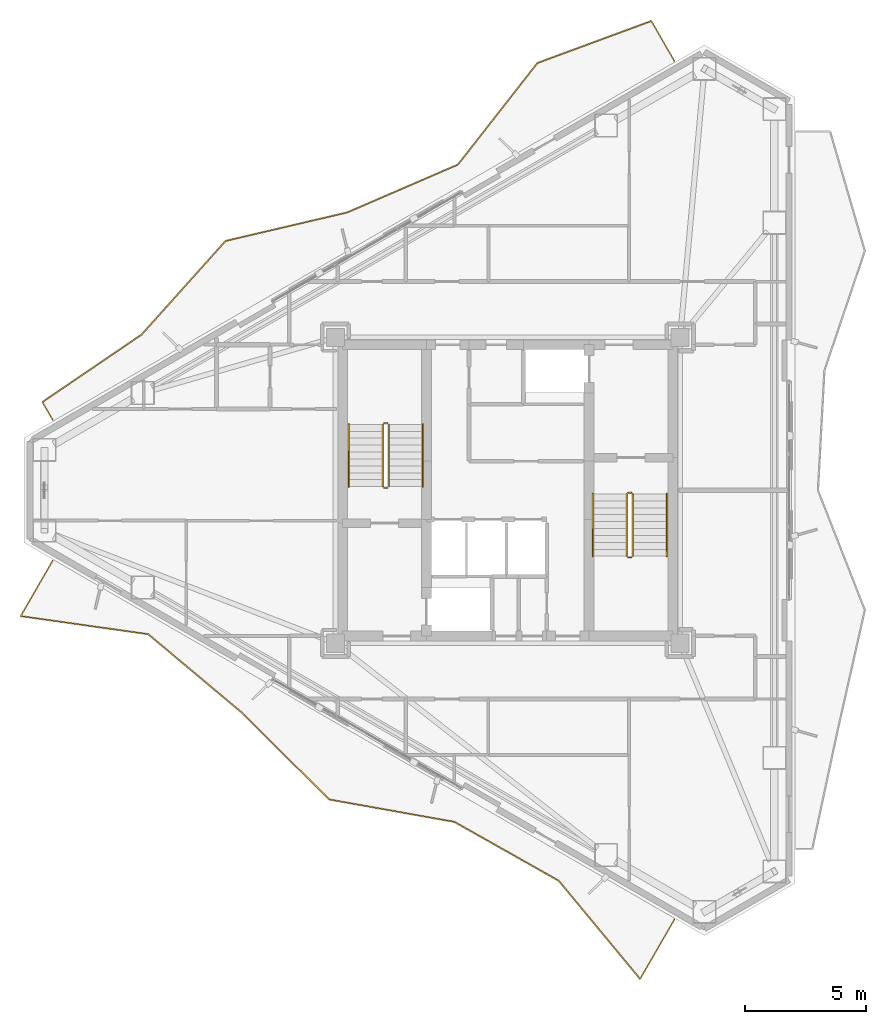
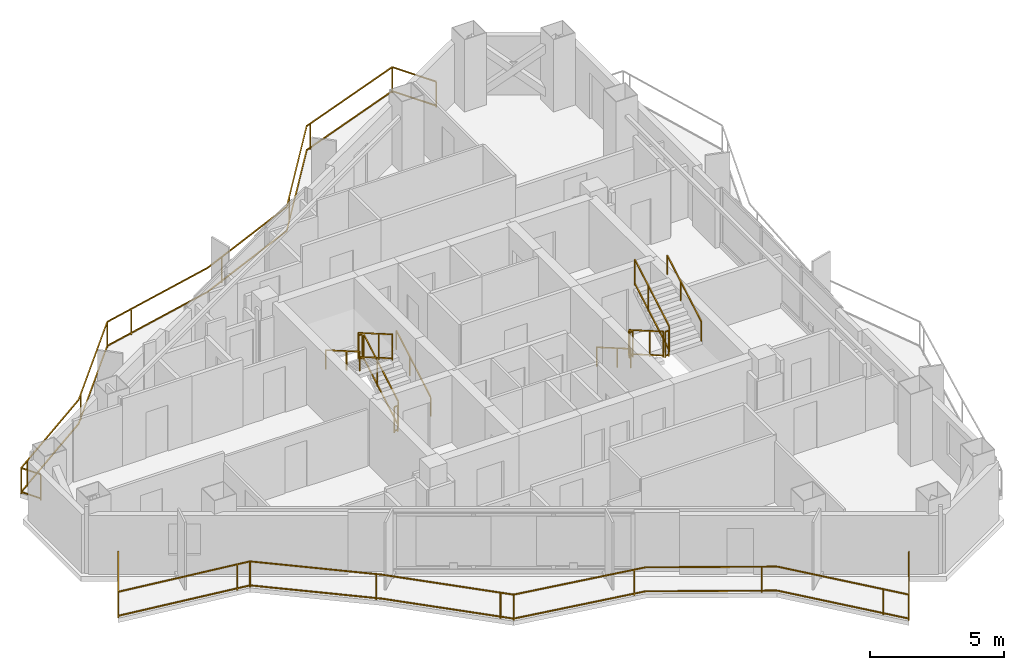
# One storey, part 21 of 22: 14 railings.
"""IFC4 building model written with IfcOpenShell, lengths in metres."""

from ifc_helpers import new_model, si_unit, direction, frame, origin, origin_2d, place, context, subcontext, project, spatial, rectangle, extrude, material, type_object, element, save


model = new_model("IFC4")

# Units and contexts
model_context = context("Model", 3, precision=1e-05, world=origin(), true_north=direction((0.0, 1.0)))
body_context = subcontext(model_context, "Body", "Model", "MODEL_VIEW")
ifc_project = project(units=[si_unit("LENGTHUNIT", "METRE"), si_unit("AREAUNIT", "SQUARE_METRE"), si_unit("VOLUMEUNIT", "CUBIC_METRE"), si_unit("PLANEANGLEUNIT", "RADIAN"), si_unit("MASSUNIT", "GRAM", prefix="KILO")], contexts=[model_context])

# Site, building, storey
site_placement = place(None, origin())
site = spatial("IfcSite", under=ifc_project, at=site_placement, CompositionType="ELEMENT")
building_placement = place(site_placement, origin())
building = spatial("IfcBuilding", under=site, at=building_placement, Name="Mersakhor Tower and Convention Hall", CompositionType="ELEMENT")
storey_placement = place(building_placement, frame((0.0, 0.0, 192.0)))
storey = spatial("IfcBuildingStorey", under=building, at=storey_placement, Name="L53", CompositionType="ELEMENT", Elevation=192.0)

# Railings
ifc_material_1 = material(Name="Powder-coated galvanised steel and laminated glass balustrade", Category="steel")
railing_type_1 = type_object("IfcRailingType", Name="RL-BAL-1200", PredefinedType="BALUSTRADE", material=ifc_material_1)
railing_1_placement = place(storey_placement, frame((35.86669921875, 44.44189453125, 0.0)))
element("IfcRailing", 1, at=railing_1_placement, inside=storey, type_object=railing_type_1, Name="L53 Sinusoidal Balcony Balustrade F1", PredefinedType="BALUSTRADE", context=body_context, shape_type="SweptSolid", body=[
    extrude(rectangle(XDim=0.048095703125, YDim=0.048095703125, at=origin_2d()), frame((0.0, 0.0, 1.17578125), z_axis=(-0.499975093369, 0.866039783157, 0.0), x_axis=(-0.866039783157, -0.499975093369, 0.0)), (0.0, 0.0, 1.0), 1.89599609375),
    extrude(rectangle(XDim=0.048095703125, YDim=0.048095703125, at=origin_2d()), frame((0.0, 0.0, 0.080078125), z_axis=(-0.499975093369, 0.866039783157, 0.0), x_axis=(-0.866039783157, -0.499975093369, 0.0)), (0.0, 0.0, 1.0), 1.89599609375),
    extrude(rectangle(XDim=0.048095703125, YDim=0.048095703125, at=origin_2d()), frame((-0.947998046875, 1.64208984375, 1.17578125), z_axis=(-0.938307289894, -0.345802587804, 0.0), x_axis=(0.345802587804, -0.938307289894, 0.0)), (0.0, 0.0, 1.0), 5.00341796875),
    extrude(rectangle(XDim=0.048095703125, YDim=0.048095703125, at=origin_2d()), frame((-0.947998046875, 1.64208984375, 0.080078125), z_axis=(-0.938307289894, -0.345802587804, 0.0), x_axis=(0.345802587804, -0.938307289894, 0.0)), (0.0, 0.0, 1.0), 5.00341796875),
    extrude(rectangle(XDim=0.048095703125, YDim=0.048095703125, at=origin_2d()), frame((-5.642822265625, -0.088134765625, 1.17578125), z_axis=(-0.616207963578, -0.787583484859, 0.0), x_axis=(0.787583484859, -0.616207963578, 0.0)), (0.0, 0.0, 1.0), 5.316650390625),
    extrude(rectangle(XDim=0.048095703125, YDim=0.048095703125, at=origin_2d()), frame((-5.642822265625, -0.088134765625, 0.080078125), z_axis=(-0.616207963578, -0.787583484859, 0.0), x_axis=(0.787583484859, -0.616207963578, 0.0)), (0.0, 0.0, 1.0), 5.316650390625),
    extrude(rectangle(XDim=0.048095703125, YDim=0.048095703125, at=origin_2d()), frame((-8.9189453125, -4.275390625, 1.17578125), z_axis=(-0.917927237931, -0.396748769202, 0.0), x_axis=(0.396748769202, -0.917927237931, 0.0)), (0.0, 0.0, 1.0), 4.964111328125),
    extrude(rectangle(XDim=0.048095703125, YDim=0.048095703125, at=origin_2d()), frame((-8.9189453125, -4.275390625, 0.080078125), z_axis=(-0.917927237931, -0.396748769202, 0.0), x_axis=(0.396748769202, -0.917927237931, 0.0)), (0.0, 0.0, 1.0), 4.964111328125),
    extrude(rectangle(XDim=0.048095703125, YDim=0.048095703125, at=origin_2d()), frame((-13.4755859375, -6.244873046875, 1.17578125), z_axis=(-0.973658412064, -0.228011615092, 0.0), x_axis=(0.228011615092, -0.973658412064, 0.0)), (0.0, 0.0, 1.0), 5.1513671875),
    extrude(rectangle(XDim=0.048095703125, YDim=0.048095703125, at=origin_2d()), frame((-13.4755859375, -6.244873046875, 0.080078125), z_axis=(-0.973658412064, -0.228011615092, 0.0), x_axis=(0.228011615092, -0.973658412064, 0.0)), (0.0, 0.0, 1.0), 5.1513671875),
    extrude(rectangle(XDim=0.048095703125, YDim=0.048095703125, at=origin_2d()), frame((-18.4912109375, -7.41943359375, 1.17578125), z_axis=(-0.667614281747, -0.744507334287, 0.0), x_axis=(0.744507334287, -0.667614281747, 0.0)), (0.0, 0.0, 1.0), 5.18798828125),
    extrude(rectangle(XDim=0.048095703125, YDim=0.048095703125, at=origin_2d()), frame((-18.4912109375, -7.41943359375, 0.080078125), z_axis=(-0.667614281747, -0.744507334287, 0.0), x_axis=(0.744507334287, -0.667614281747, 0.0)), (0.0, 0.0, 1.0), 5.18798828125),
    extrude(rectangle(XDim=0.048095703125, YDim=0.048095703125, at=origin_2d()), frame((-21.954833984375, -11.281982421875, 1.17578125), z_axis=(-0.82704863342, -0.562130374521, 0.0), x_axis=(0.562130374521, -0.82704863342, 0.0)), (0.0, 0.0, 1.0), 4.9443359375),
    extrude(rectangle(XDim=0.048095703125, YDim=0.048095703125, at=origin_2d()), frame((-21.954833984375, -11.281982421875, 0.080078125), z_axis=(-0.82704863342, -0.562130374521, 0.0), x_axis=(0.562130374521, -0.82704863342, 0.0)), (0.0, 0.0, 1.0), 4.9443359375),
    extrude(rectangle(XDim=0.048095703125, YDim=0.048095703125, at=origin_2d()), frame((-26.0439453125, -14.061279296875, 1.17578125), z_axis=(0.499964420222, -0.866045944804, 0.0), x_axis=(0.866045944804, 0.499964420222, 0.0)), (0.0, 0.0, 1.0), 0.84423828125),
    extrude(rectangle(XDim=0.048095703125, YDim=0.048095703125, at=origin_2d()), frame((-26.0439453125, -14.061279296875, 0.080078125), z_axis=(0.499964420222, -0.866045944804, 0.0), x_axis=(0.866045944804, 0.499964420222, 0.0)), (0.0, 0.0, 1.0), 0.84423828125),
    extrude(rectangle(XDim=0.0419921875, YDim=0.0419921875, at=origin_2d()), origin(), (0.0, 0.0, 1.0), 1.15185546875),
    extrude(rectangle(XDim=0.0419921875, YDim=0.0419921875, at=origin_2d()), frame((-0.947998046875, 1.64208984375, 0.0)), (0.0, 0.0, 1.0), 1.15185546875),
    extrude(rectangle(XDim=0.0419921875, YDim=0.0419921875, at=origin_2d()), frame((-5.451904296875, -0.017822265625, 0.0)), (0.0, 0.0, 1.0), 1.15185546875),
    extrude(rectangle(XDim=0.0419921875, YDim=0.0419921875, at=origin_2d()), frame((-8.475341796875, -3.708251953125, 0.0)), (0.0, 0.0, 1.0), 1.15185546875),
    extrude(rectangle(XDim=0.0419921875, YDim=0.0419921875, at=origin_2d()), frame((-12.6640625, -5.89404296875, 0.0)), (0.0, 0.0, 1.0), 1.15185546875),
    extrude(rectangle(XDim=0.0419921875, YDim=0.0419921875, at=origin_2d()), frame((-17.288330078125, -7.1376953125, 0.0)), (0.0, 0.0, 1.0), 1.15185546875),
    extrude(rectangle(XDim=0.0419921875, YDim=0.0419921875, at=origin_2d()), frame((-18.4912109375, -7.41943359375, 0.0)), (0.0, 0.0, 1.0), 1.15185546875),
    extrude(rectangle(XDim=0.0419921875, YDim=0.0419921875, at=origin_2d()), frame((-21.69580078125, -10.9931640625, 0.0)), (0.0, 0.0, 1.0), 1.15185546875),
    extrude(rectangle(XDim=0.0419921875, YDim=0.0419921875, at=origin_2d()), frame((-25.603759765625, -13.761962890625, 0.0)), (0.0, 0.0, 1.0), 1.15185546875),
    extrude(rectangle(XDim=0.0419921875, YDim=0.0419921875, at=origin_2d()), frame((-26.0439453125, -14.061279296875, 0.0)), (0.0, 0.0, 1.0), 1.15185546875),
    extrude(rectangle(XDim=0.0419921875, YDim=0.0419921875, at=origin_2d()), frame((-25.621826171875, -14.79248046875, 0.0)), (0.0, 0.0, 1.0), 1.15185546875),
])
railing_2_placement = place(storey_placement, frame((10.244873046875, 23.8505859375, 0.0)))
element("IfcRailing", 2, at=railing_2_placement, inside=storey, type_object=railing_type_1, Name="L53 Sinusoidal Balcony Balustrade F3", PredefinedType="BALUSTRADE", context=body_context, shape_type="SweptSolid", body=[
    extrude(rectangle(XDim=0.048095703125, YDim=0.048095703125, at=origin_2d()), frame((0.0, 0.0, 1.17578125), z_axis=(-0.499984368442, -0.86603442848, 0.0), x_axis=(0.86603442848, -0.499984368442, 0.0)), (0.0, 0.0, 1.0), 2.6357421875),
    extrude(rectangle(XDim=0.048095703125, YDim=0.048095703125, at=origin_2d()), frame((0.0, 0.0, 0.080078125), z_axis=(-0.499984368442, -0.86603442848, 0.0), x_axis=(0.86603442848, -0.499984368442, 0.0)), (0.0, 0.0, 1.0), 2.6357421875),
    extrude(rectangle(XDim=0.048095703125, YDim=0.048095703125, at=origin_2d()), frame((-1.31787109375, -2.28271484375, 1.17578125), z_axis=(0.990114157614, -0.140263875933, 0.0), x_axis=(0.140263875933, 0.990114157614, 0.0)), (0.0, 0.0, 1.0), 5.315673828125),
    extrude(rectangle(XDim=0.048095703125, YDim=0.048095703125, at=origin_2d()), frame((-1.31787109375, -2.28271484375, 0.080078125), z_axis=(0.990114157614, -0.140263875933, 0.0), x_axis=(0.140263875933, 0.990114157614, 0.0)), (0.0, 0.0, 1.0), 5.315673828125),
    extrude(rectangle(XDim=0.048095703125, YDim=0.048095703125, at=origin_2d()), frame((3.9453125, -3.0283203125, 1.17578125), z_axis=(0.766567843744, -0.642163328864, 0.0), x_axis=(0.642163328864, 0.766567843744, 0.0)), (0.0, 0.0, 1.0), 5.00634765625),
    extrude(rectangle(XDim=0.048095703125, YDim=0.048095703125, at=origin_2d()), frame((3.9453125, -3.0283203125, 0.080078125), z_axis=(0.766567843744, -0.642163328864, 0.0), x_axis=(0.642163328864, 0.766567843744, 0.0)), (0.0, 0.0, 1.0), 5.00634765625),
    extrude(rectangle(XDim=0.048095703125, YDim=0.048095703125, at=origin_2d()), frame((7.782958984375, -6.2431640625, 1.17578125), z_axis=(0.709329055901, -0.704877500318, 0.0), x_axis=(0.704877500318, 0.709329055901, 0.0)), (0.0, 0.0, 1.0), 5.1005859375),
    extrude(rectangle(XDim=0.048095703125, YDim=0.048095703125, at=origin_2d()), frame((7.782958984375, -6.2431640625, 0.080078125), z_axis=(0.709329055901, -0.704877500318, 0.0), x_axis=(0.704877500318, 0.709329055901, 0.0)), (0.0, 0.0, 1.0), 5.1005859375),
    extrude(rectangle(XDim=0.048095703125, YDim=0.048095703125, at=origin_2d()), frame((11.40087890625, -9.83837890625, 1.17578125), z_axis=(0.984376302005, -0.176077528521, 0.0), x_axis=(0.176077528521, 0.984376302005, 0.0)), (0.0, 0.0, 1.0), 5.242431640625),
    extrude(rectangle(XDim=0.048095703125, YDim=0.048095703125, at=origin_2d()), frame((11.40087890625, -9.83837890625, 0.080078125), z_axis=(0.984376302005, -0.176077528521, 0.0), x_axis=(0.176077528521, 0.984376302005, 0.0)), (0.0, 0.0, 1.0), 5.242431640625),
    extrude(rectangle(XDim=0.048095703125, YDim=0.048095703125, at=origin_2d()), frame((16.5615234375, -10.761474609375, 1.17578125), z_axis=(0.870983899924, -0.491311557031, 0.0), x_axis=(0.491311557031, 0.870983899924, 0.0)), (0.0, 0.0, 1.0), 4.931396484375),
    extrude(rectangle(XDim=0.048095703125, YDim=0.048095703125, at=origin_2d()), frame((16.5615234375, -10.761474609375, 0.080078125), z_axis=(0.870983899924, -0.491311557031, 0.0), x_axis=(0.491311557031, 0.870983899924, 0.0)), (0.0, 0.0, 1.0), 4.931396484375),
    extrude(rectangle(XDim=0.048095703125, YDim=0.048095703125, at=origin_2d()), frame((20.856689453125, -13.184326171875, 1.17578125), z_axis=(0.637912487539, -0.770108861293, 0.0), x_axis=(0.770108861293, 0.637912487539, 0.0)), (0.0, 0.0, 1.0), 5.259765625),
    extrude(rectangle(XDim=0.048095703125, YDim=0.048095703125, at=origin_2d()), frame((20.856689453125, -13.184326171875, 0.080078125), z_axis=(0.637912487539, -0.770108861293, 0.0), x_axis=(0.770108861293, 0.637912487539, 0.0)), (0.0, 0.0, 1.0), 5.259765625),
    extrude(rectangle(XDim=0.048095703125, YDim=0.048095703125, at=origin_2d()), frame((24.2119140625, -17.23486328125, 1.17578125), z_axis=(0.499947271324, 0.866055844559, 0.0), x_axis=(-0.866055844559, 0.499947271324, 0.0)), (0.0, 0.0, 1.0), 2.820068359375),
    extrude(rectangle(XDim=0.048095703125, YDim=0.048095703125, at=origin_2d()), frame((24.2119140625, -17.23486328125, 0.080078125), z_axis=(0.499947271324, 0.866055844559, 0.0), x_axis=(-0.866055844559, 0.499947271324, 0.0)), (0.0, 0.0, 1.0), 2.820068359375),
    extrude(rectangle(XDim=0.0419921875, YDim=0.0419921875, at=origin_2d()), origin(), (0.0, 0.0, 1.0), 1.15185546875),
    extrude(rectangle(XDim=0.0419921875, YDim=0.0419921875, at=origin_2d()), frame((-1.31787109375, -2.28271484375, 0.0)), (0.0, 0.0, 1.0), 1.15185546875),
    extrude(rectangle(XDim=0.0419921875, YDim=0.0419921875, at=origin_2d()), frame((3.4345703125, -2.9560546875, 0.0)), (0.0, 0.0, 1.0), 1.15185546875),
    extrude(rectangle(XDim=0.0419921875, YDim=0.0419921875, at=origin_2d()), frame((3.9453125, -3.0283203125, 0.0)), (0.0, 0.0, 1.0), 1.15185546875),
    extrude(rectangle(XDim=0.0419921875, YDim=0.0419921875, at=origin_2d()), frame((7.624755859375, -6.110595703125, 0.0)), (0.0, 0.0, 1.0), 1.15185546875),
    extrude(rectangle(XDim=0.0419921875, YDim=0.0419921875, at=origin_2d()), frame((11.04150390625, -9.481201171875, 0.0)), (0.0, 0.0, 1.0), 1.15185546875),
    extrude(rectangle(XDim=0.0419921875, YDim=0.0419921875, at=origin_2d()), frame((11.40087890625, -9.83837890625, 0.0)), (0.0, 0.0, 1.0), 1.15185546875),
    extrude(rectangle(XDim=0.0419921875, YDim=0.0419921875, at=origin_2d()), frame((16.1259765625, -10.68359375, 0.0)), (0.0, 0.0, 1.0), 1.15185546875),
    extrude(rectangle(XDim=0.0419921875, YDim=0.0419921875, at=origin_2d()), frame((20.356689453125, -12.90234375, 0.0)), (0.0, 0.0, 1.0), 1.15185546875),
    extrude(rectangle(XDim=0.0419921875, YDim=0.0419921875, at=origin_2d()), frame((23.552490234375, -16.43896484375, 0.0)), (0.0, 0.0, 1.0), 1.15185546875),
    extrude(rectangle(XDim=0.0419921875, YDim=0.0419921875, at=origin_2d()), frame((24.2119140625, -17.23486328125, 0.0)), (0.0, 0.0, 1.0), 1.15185546875),
    extrude(rectangle(XDim=0.0419921875, YDim=0.0419921875, at=origin_2d()), frame((25.621826171875, -14.79248046875, 0.0)), (0.0, 0.0, 1.0), 1.15185546875),
])
ifc_material_2 = material(Name="Brushed stainless steel handrail", Category="steel")
railing_type_2 = type_object("IfcRailingType", Name="RL-HR-900", PredefinedType="HANDRAIL", material=ifc_material_2)
railing_3_placement = place(storey_placement, frame((25.5, 26.89990234375, 0.1650390625)))
element("IfcRailing", 3, at=railing_3_placement, inside=storey, type_object=railing_type_2, Name="L53 ST-1 stair handrail 1", PredefinedType="HANDRAIL", context=body_context, shape_type="SweptSolid", body=[
    extrude(rectangle(XDim=0.048095703125, YDim=0.048095703125, at=origin_2d()), frame((0.0, 0.0, 0.8759765625), z_axis=(0.0, 0.865461999751, 0.500974577186), x_axis=(-1.0, 0.0, 0.0)), (0.0, 0.0, 1.0), 2.9638671875),
    extrude(rectangle(XDim=0.0419921875, YDim=0.0419921875, at=origin_2d()), origin(), (0.0, 0.0, 1.0), 0.851806640625),
    extrude(rectangle(XDim=0.0419921875, YDim=0.0419921875, at=origin_2d()), frame((0.0, 1.557861328125, 0.90185546875)), (0.0, 0.0, 1.0), 0.851806640625),
    extrude(rectangle(XDim=0.0419921875, YDim=0.0419921875, at=origin_2d()), frame((0.0, 2.565185546875, 1.48486328125)), (0.0, 0.0, 1.0), 0.851806640625),
])
railing_4_placement = place(storey_placement, frame((22.449951171875, 29.465087890625, 1.81494140625)))
element("IfcRailing", 4, at=railing_4_placement, inside=storey, type_object=railing_type_2, Name="L53 ST-1 stair handrail 2", PredefinedType="HANDRAIL", context=body_context, shape_type="SweptSolid", body=[
    extrude(rectangle(XDim=0.048095703125, YDim=0.048095703125, at=origin_2d()), frame((0.0, 0.0, 0.8759765625), z_axis=(0.0, -0.865426285481, 0.501036270542), x_axis=(1.0, 0.0, 0.0)), (0.0, 0.0, 1.0), 2.964111328125),
    extrude(rectangle(XDim=0.0419921875, YDim=0.0419921875, at=origin_2d()), origin(), (0.0, 0.0, 1.0), 0.851806640625),
    extrude(rectangle(XDim=0.0419921875, YDim=0.0419921875, at=origin_2d()), frame((0.0, -1.557861328125, 0.90185546875)), (0.0, 0.0, 1.0), 0.851806640625),
    extrude(rectangle(XDim=0.0419921875, YDim=0.0419921875, at=origin_2d()), frame((0.0, -2.565185546875, 1.485107421875)), (0.0, 0.0, 1.0), 0.851806640625),
])
railing_5_placement = place(storey_placement, frame((32.5, 26.60009765625, 0.1650390625)))
element("IfcRailing", 5, at=railing_5_placement, inside=storey, type_object=railing_type_2, Name="L53 ST-2 stair handrail 1", PredefinedType="HANDRAIL", context=body_context, shape_type="SweptSolid", body=[
    extrude(rectangle(XDim=0.048095703125, YDim=0.048095703125, at=origin_2d()), frame((0.0, 0.0, 0.8759765625), z_axis=(0.0, -0.865461999751, 0.500974577186), x_axis=(1.0, 0.0, 0.0)), (0.0, 0.0, 1.0), 2.9638671875),
    extrude(rectangle(XDim=0.0419921875, YDim=0.0419921875, at=origin_2d()), origin(), (0.0, 0.0, 1.0), 0.851806640625),
    extrude(rectangle(XDim=0.0419921875, YDim=0.0419921875, at=origin_2d()), frame((0.0, -1.557861328125, 0.90185546875)), (0.0, 0.0, 1.0), 0.851806640625),
    extrude(rectangle(XDim=0.0419921875, YDim=0.0419921875, at=origin_2d()), frame((0.0, -2.565185546875, 1.48486328125)), (0.0, 0.0, 1.0), 0.851806640625),
])
railing_6_placement = place(storey_placement, frame((35.550048828125, 24.034912109375, 1.81494140625)))
element("IfcRailing", 6, at=railing_6_placement, inside=storey, type_object=railing_type_2, Name="L53 ST-2 stair handrail 2", PredefinedType="HANDRAIL", context=body_context, shape_type="SweptSolid", body=[
    extrude(rectangle(XDim=0.048095703125, YDim=0.048095703125, at=origin_2d()), frame((0.0, 0.0, 0.8759765625), z_axis=(0.0, 0.865426285481, 0.501036270542), x_axis=(-1.0, 0.0, 0.0)), (0.0, 0.0, 1.0), 2.964111328125),
    extrude(rectangle(XDim=0.0419921875, YDim=0.0419921875, at=origin_2d()), origin(), (0.0, 0.0, 1.0), 0.851806640625),
    extrude(rectangle(XDim=0.0419921875, YDim=0.0419921875, at=origin_2d()), frame((0.0, 1.557861328125, 0.90185546875)), (0.0, 0.0, 1.0), 0.851806640625),
    extrude(rectangle(XDim=0.0419921875, YDim=0.0419921875, at=origin_2d()), frame((0.0, 2.565185546875, 1.485107421875)), (0.0, 0.0, 1.0), 0.851806640625),
])
ifc_material_3 = material(Name="Painted steel stair balustrade S355", Category="steel")
railing_type_3 = type_object("IfcRailingType", Name="RL-STG-1200", PredefinedType="BALUSTRADE", material=ifc_material_3)
railing_7_placement = place(storey_placement, frame((24.10009765625, 26.89990234375, 0.1650390625)))
element("IfcRailing", 7, at=railing_7_placement, inside=storey, type_object=railing_type_3, Name="L53 ST-1 stair guard 1", PredefinedType="BALUSTRADE", context=body_context, shape_type="SweptSolid", body=[
    extrude(rectangle(XDim=0.048095703125, YDim=0.048095703125, at=origin_2d()), frame((0.0, 0.0, 1.17578125), z_axis=(0.0, 0.865461999751, 0.500974577186), x_axis=(-1.0, 0.0, 0.0)), (0.0, 0.0, 1.0), 2.9638671875),
    extrude(rectangle(XDim=0.048095703125, YDim=0.048095703125, at=origin_2d()), frame((0.0, 0.0, 0.080078125), z_axis=(0.0, 0.865461999751, 0.500974577186), x_axis=(-1.0, 0.0, 0.0)), (0.0, 0.0, 1.0), 2.9638671875),
    extrude(rectangle(XDim=0.0419921875, YDim=0.0419921875, at=origin_2d()), origin(), (0.0, 0.0, 1.0), 1.15185546875),
    extrude(rectangle(XDim=0.0419921875, YDim=0.0419921875, at=origin_2d()), frame((0.0, 1.557861328125, 0.90185546875)), (0.0, 0.0, 1.0), 1.15185546875),
    extrude(rectangle(XDim=0.0419921875, YDim=0.0419921875, at=origin_2d()), frame((0.0, 2.565185546875, 1.48486328125)), (0.0, 0.0, 1.0), 1.15185546875),
])
railing_8_placement = place(storey_placement, frame((24.050048828125, 29.514892578125, 1.64990234375)))
element("IfcRailing", 8, at=railing_8_placement, inside=storey, type_object=railing_type_3, Name="L53 ST-1 stair guard 2", PredefinedType="BALUSTRADE", context=body_context, shape_type="SweptSolid", body=[
    extrude(rectangle(XDim=0.048095703125, YDim=0.048095703125, at=origin_2d()), frame((0.0, 0.0, 1.17578125), z_axis=(-1.0, 0.0, 0.0), x_axis=(0.0, -1.0, 0.0)), (0.0, 0.0, 1.0), 0.150146484375),
    extrude(rectangle(XDim=0.048095703125, YDim=0.048095703125, at=origin_2d()), frame((0.0, 0.0, 0.080078125), z_axis=(-1.0, 0.0, 0.0), x_axis=(0.0, -1.0, 0.0)), (0.0, 0.0, 1.0), 0.150146484375),
    extrude(rectangle(XDim=0.0419921875, YDim=0.0419921875, at=origin_2d()), origin(), (0.0, 0.0, 1.0), 1.15185546875),
    extrude(rectangle(XDim=0.0419921875, YDim=0.0419921875, at=origin_2d()), frame((-0.150146484375, 0.0, 0.0)), (0.0, 0.0, 1.0), 1.15185546875),
])
railing_9_placement = place(storey_placement, frame((23.85009765625, 29.465087890625, 1.81494140625)))
element("IfcRailing", 9, at=railing_9_placement, inside=storey, type_object=railing_type_3, Name="L53 ST-1 stair guard 3", PredefinedType="BALUSTRADE", context=body_context, shape_type="SweptSolid", body=[
    extrude(rectangle(XDim=0.048095703125, YDim=0.048095703125, at=origin_2d()), frame((0.0, 0.0, 1.17578125), z_axis=(0.0, -0.865426285481, 0.501036270542), x_axis=(1.0, 0.0, 0.0)), (0.0, 0.0, 1.0), 2.964111328125),
    extrude(rectangle(XDim=0.048095703125, YDim=0.048095703125, at=origin_2d()), frame((0.0, 0.0, 0.080078125), z_axis=(0.0, -0.865426285481, 0.501036270542), x_axis=(1.0, 0.0, 0.0)), (0.0, 0.0, 1.0), 2.964111328125),
    extrude(rectangle(XDim=0.0419921875, YDim=0.0419921875, at=origin_2d()), origin(), (0.0, 0.0, 1.0), 1.15185546875),
    extrude(rectangle(XDim=0.0419921875, YDim=0.0419921875, at=origin_2d()), frame((0.0, -1.557861328125, 0.90185546875)), (0.0, 0.0, 1.0), 1.15185546875),
    extrude(rectangle(XDim=0.0419921875, YDim=0.0419921875, at=origin_2d()), frame((0.0, -2.565185546875, 1.485107421875)), (0.0, 0.0, 1.0), 1.15185546875),
])
railing_10_placement = place(storey_placement, frame((24.050048828125, 26.85009765625, 0.0)))
element("IfcRailing", 10, at=railing_10_placement, inside=storey, type_object=railing_type_3, Name="L53 ST-1 stair guard 4", PredefinedType="BALUSTRADE", context=body_context, shape_type="SweptSolid", body=[
    extrude(rectangle(XDim=0.048095703125, YDim=0.048095703125, at=origin_2d()), frame((0.0, 0.0, 1.17578125), z_axis=(-1.0, 0.0, 0.0), x_axis=(0.0, -1.0, 0.0)), (0.0, 0.0, 1.0), 0.150146484375),
    extrude(rectangle(XDim=0.048095703125, YDim=0.048095703125, at=origin_2d()), frame((0.0, 0.0, 0.080078125), z_axis=(-1.0, 0.0, 0.0), x_axis=(0.0, -1.0, 0.0)), (0.0, 0.0, 1.0), 0.150146484375),
    extrude(rectangle(XDim=0.0419921875, YDim=0.0419921875, at=origin_2d()), origin(), (0.0, 0.0, 1.0), 1.15185546875),
    extrude(rectangle(XDim=0.0419921875, YDim=0.0419921875, at=origin_2d()), frame((-0.150146484375, 0.0, 0.0)), (0.0, 0.0, 1.0), 1.15185546875),
])
railing_11_placement = place(storey_placement, frame((33.89990234375, 26.60009765625, 0.1650390625)))
element("IfcRailing", 11, at=railing_11_placement, inside=storey, type_object=railing_type_3, Name="L53 ST-2 stair guard 1", PredefinedType="BALUSTRADE", context=body_context, shape_type="SweptSolid", body=[
    extrude(rectangle(XDim=0.048095703125, YDim=0.048095703125, at=origin_2d()), frame((0.0, 0.0, 1.17578125), z_axis=(0.0, -0.865461999751, 0.500974577186), x_axis=(1.0, 0.0, 0.0)), (0.0, 0.0, 1.0), 2.9638671875),
    extrude(rectangle(XDim=0.048095703125, YDim=0.048095703125, at=origin_2d()), frame((0.0, 0.0, 0.080078125), z_axis=(0.0, -0.865461999751, 0.500974577186), x_axis=(1.0, 0.0, 0.0)), (0.0, 0.0, 1.0), 2.9638671875),
    extrude(rectangle(XDim=0.0419921875, YDim=0.0419921875, at=origin_2d()), origin(), (0.0, 0.0, 1.0), 1.15185546875),
    extrude(rectangle(XDim=0.0419921875, YDim=0.0419921875, at=origin_2d()), frame((0.0, -1.557861328125, 0.90185546875)), (0.0, 0.0, 1.0), 1.15185546875),
    extrude(rectangle(XDim=0.0419921875, YDim=0.0419921875, at=origin_2d()), frame((0.0, -2.565185546875, 1.48486328125)), (0.0, 0.0, 1.0), 1.15185546875),
])
railing_12_placement = place(storey_placement, frame((33.949951171875, 23.985107421875, 1.64990234375)))
element("IfcRailing", 12, at=railing_12_placement, inside=storey, type_object=railing_type_3, Name="L53 ST-2 stair guard 2", PredefinedType="BALUSTRADE", context=body_context, shape_type="SweptSolid", body=[
    extrude(rectangle(XDim=0.048095703125, YDim=0.048095703125, at=origin_2d()), frame((0.0, 0.0, 1.17578125), z_axis=(1.0, 0.0, 0.0), x_axis=(0.0, 1.0, 0.0)), (0.0, 0.0, 1.0), 0.150146484375),
    extrude(rectangle(XDim=0.048095703125, YDim=0.048095703125, at=origin_2d()), frame((0.0, 0.0, 0.080078125), z_axis=(1.0, 0.0, 0.0), x_axis=(0.0, 1.0, 0.0)), (0.0, 0.0, 1.0), 0.150146484375),
    extrude(rectangle(XDim=0.0419921875, YDim=0.0419921875, at=origin_2d()), origin(), (0.0, 0.0, 1.0), 1.15185546875),
    extrude(rectangle(XDim=0.0419921875, YDim=0.0419921875, at=origin_2d()), frame((0.150146484375, 0.0, 0.0)), (0.0, 0.0, 1.0), 1.15185546875),
])
railing_13_placement = place(storey_placement, frame((34.14990234375, 24.034912109375, 1.81494140625)))
element("IfcRailing", 13, at=railing_13_placement, inside=storey, type_object=railing_type_3, Name="L53 ST-2 stair guard 3", PredefinedType="BALUSTRADE", context=body_context, shape_type="SweptSolid", body=[
    extrude(rectangle(XDim=0.048095703125, YDim=0.048095703125, at=origin_2d()), frame((0.0, 0.0, 1.17578125), z_axis=(0.0, 0.865426285481, 0.501036270542), x_axis=(-1.0, 0.0, 0.0)), (0.0, 0.0, 1.0), 2.964111328125),
    extrude(rectangle(XDim=0.048095703125, YDim=0.048095703125, at=origin_2d()), frame((0.0, 0.0, 0.080078125), z_axis=(0.0, 0.865426285481, 0.501036270542), x_axis=(-1.0, 0.0, 0.0)), (0.0, 0.0, 1.0), 2.964111328125),
    extrude(rectangle(XDim=0.0419921875, YDim=0.0419921875, at=origin_2d()), origin(), (0.0, 0.0, 1.0), 1.15185546875),
    extrude(rectangle(XDim=0.0419921875, YDim=0.0419921875, at=origin_2d()), frame((0.0, 1.557861328125, 0.90185546875)), (0.0, 0.0, 1.0), 1.15185546875),
    extrude(rectangle(XDim=0.0419921875, YDim=0.0419921875, at=origin_2d()), frame((0.0, 2.565185546875, 1.485107421875)), (0.0, 0.0, 1.0), 1.15185546875),
])
railing_14_placement = place(storey_placement, frame((33.949951171875, 26.64990234375, 0.0)))
element("IfcRailing", 14, at=railing_14_placement, inside=storey, type_object=railing_type_3, Name="L53 ST-2 stair guard 4", PredefinedType="BALUSTRADE", context=body_context, shape_type="SweptSolid", body=[
    extrude(rectangle(XDim=0.048095703125, YDim=0.048095703125, at=origin_2d()), frame((0.0, 0.0, 1.17578125), z_axis=(1.0, 0.0, 0.0), x_axis=(0.0, 1.0, 0.0)), (0.0, 0.0, 1.0), 0.150146484375),
    extrude(rectangle(XDim=0.048095703125, YDim=0.048095703125, at=origin_2d()), frame((0.0, 0.0, 0.080078125), z_axis=(1.0, 0.0, 0.0), x_axis=(0.0, 1.0, 0.0)), (0.0, 0.0, 1.0), 0.150146484375),
    extrude(rectangle(XDim=0.0419921875, YDim=0.0419921875, at=origin_2d()), origin(), (0.0, 0.0, 1.0), 1.15185546875),
    extrude(rectangle(XDim=0.0419921875, YDim=0.0419921875, at=origin_2d()), frame((0.150146484375, 0.0, 0.0)), (0.0, 0.0, 1.0), 1.15185546875),
])

save(model, "model.ifc")
